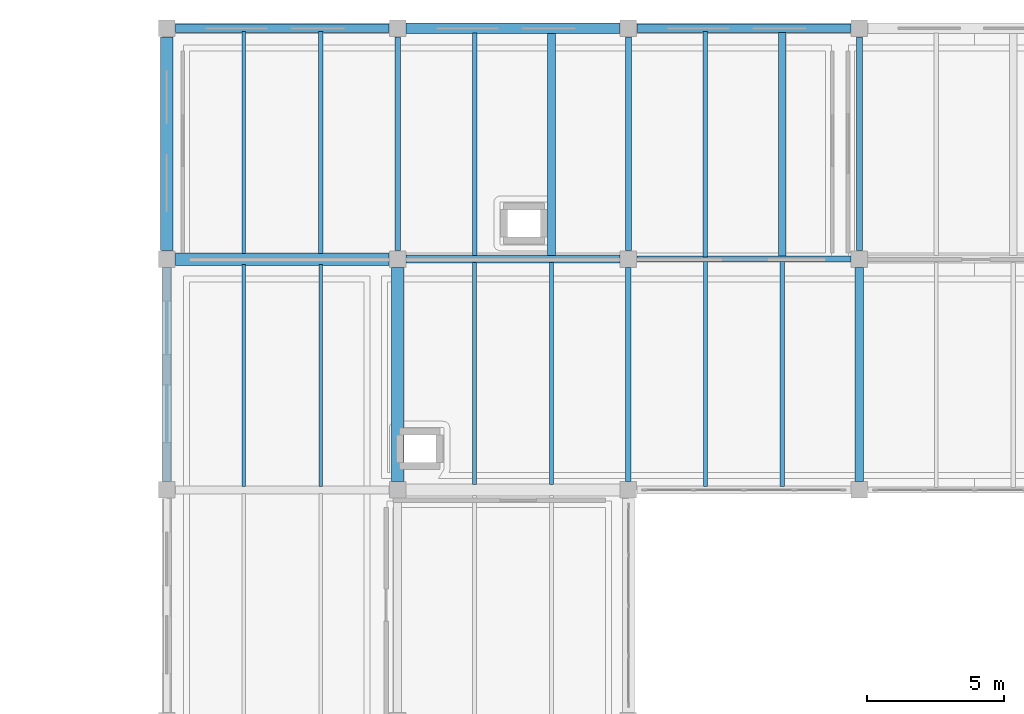
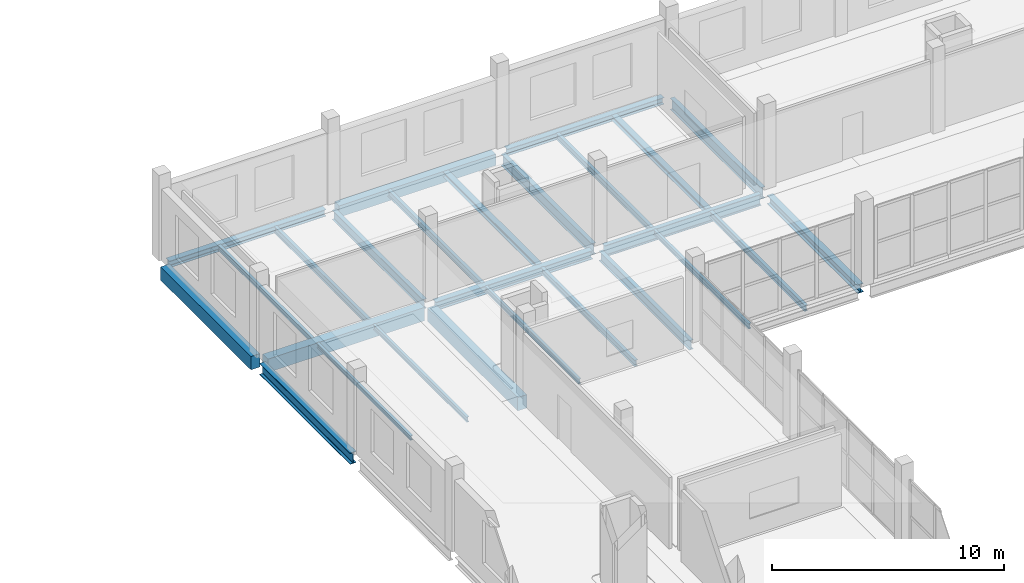
# One storey, part 30 of 54: 26 beams.
"""IFC4 building model written with IfcOpenShell, lengths in metres."""

from ifc_helpers import new_model, si_unit, direction, frame, origin, origin_2d, place, context, subcontext, project, spatial, rectangle, i_section, extrude, material, material_profile, profile_set, type_object, element, save


model = new_model("IFC4")

# Units and contexts
model_context = context("Model", 3, precision=1e-05, world=origin(), true_north=direction((0.0, 1.0)))
body_context = subcontext(model_context, "Body", "Model", "MODEL_VIEW")
ifc_project = project(units=[si_unit("LENGTHUNIT", "METRE"), si_unit("AREAUNIT", "SQUARE_METRE"), si_unit("VOLUMEUNIT", "CUBIC_METRE"), si_unit("PLANEANGLEUNIT", "RADIAN"), si_unit("MASSUNIT", "GRAM", prefix="KILO")], contexts=[model_context])

# Site, building, storey
site_placement = place(None, origin())
site = spatial("IfcSite", under=ifc_project, at=site_placement, CompositionType="ELEMENT")
building_placement = place(site_placement, origin())
building = spatial("IfcBuilding", under=site, at=building_placement, Name="Zulmaris Art Gallery", CompositionType="ELEMENT")
storey_placement = place(building_placement, frame((0.0, 0.0, 26.39990234375)))
storey = spatial("IfcBuildingStorey", under=building, at=storey_placement, Name="L05", CompositionType="ELEMENT", Elevation=26.39990234375)

# Beams
ifc_material_1 = material(Name="Steel S355J2", Category="steel")
ifc_material_profile_1 = material_profile(ifc_material_1, i_section(OverallWidth=0.199951171875, OverallDepth=0.5, WebThickness=0.01025390625, FlangeThickness=0.01611328125, FilletRadius=0.02099609375, at=origin_2d()), Name="IPE 500")
ifc_profile_set_1 = profile_set([ifc_material_profile_1], Name="Steel S355J2")
beam_type_1 = type_object("IfcBeamType", Name="BEAM-BM05", PredefinedType="BEAM", material=ifc_profile_set_1)
beam_1_placement = place(storey_placement, frame((150.0, 67.510009765625, -0.559814453125), z_axis=(0.0, 1.0, 0.0), x_axis=(-1.0, 0.0, 0.0)))
element("IfcBeam", 1, at=beam_1_placement, inside=storey, type_object=beam_type_1, Name="L05 Y-girder (x=150.0, 67.2..75.6)", PredefinedType="BEAM", context=body_context, shape_type="SweptSolid", body=[
    extrude(i_section(OverallWidth=0.199951171875, OverallDepth=0.5, WebThickness=0.01025390625, FlangeThickness=0.01611328125, FilletRadius=0.02099609375, at=origin_2d()), origin(), (0.0, 0.0, 1.0), 7.780029296875),
])
beam_2_placement = place(storey_placement, frame((158.39990234375, 59.110107421875, -0.559814453125), z_axis=(0.0, 1.0, 0.0), x_axis=(-1.0, 0.0, 0.0)))
element("IfcBeam", 2, at=beam_2_placement, inside=storey, type_object=beam_type_1, Name="L05 Y-girder (x=158.4, 58.8..67.2)", PredefinedType="BEAM", context=body_context, shape_type="SweptSolid", body=[
    extrude(i_section(OverallWidth=0.199951171875, OverallDepth=0.5, WebThickness=0.01025390625, FlangeThickness=0.01611328125, FilletRadius=0.02099609375, at=origin_2d()), origin(), (0.0, 0.0, 1.0), 7.77978515625),
])
ifc_material_profile_2 = material_profile(ifc_material_1, i_section(OverallWidth=0.219970703125, OverallDepth=0.60009765625, WebThickness=0.011962890625, FlangeThickness=0.01904296875, FilletRadius=0.02392578125, at=origin_2d()), Name="IPE 600")
ifc_profile_set_2 = profile_set([ifc_material_profile_2], Name="Steel S355J2")
beam_type_2 = type_object("IfcBeamType", Name="BEAM-BM07", PredefinedType="BEAM", material=ifc_profile_set_2)
for number, where, z_axis, x_axis, name in (
    (3, (158.7099609375, 67.199951171875, -0.60986328125), (1.0, 0.0, 0.0), (0.0, 1.0, 0.0), "L05 X-girder (158.4..166.8, y=67.2)"),
    (4, (158.39990234375, 67.510009765625, -0.60986328125), (0.0, 1.0, 0.0), (-1.0, 0.0, 0.0), "L05 Y-girder (x=158.4, 67.2..75.6)"),
    (5, (166.800048828125, 67.510009765625, -0.60986328125), (0.0, 1.0, 0.0), (-1.0, 0.0, 0.0), "L05 Y-girder (x=166.8, 67.2..75.6)"),
):
    element("IfcBeam", number, at=place(storey_placement, frame(where, z_axis=z_axis, x_axis=x_axis)), inside=storey, type_object=beam_type_2, Name=name, PredefinedType="BEAM", context=body_context, shape_type="SweptSolid", body=[
        extrude(i_section(OverallWidth=0.219970703125, OverallDepth=0.60009765625, WebThickness=0.011962890625, FlangeThickness=0.01904296875, FilletRadius=0.02392578125, at=origin_2d()), origin(), (0.0, 0.0, 1.0), 7.780029296875),
    ])
ifc_material_profile_3 = material_profile(ifc_material_1, i_section(OverallWidth=0.300048828125, OverallDepth=0.449951171875, WebThickness=0.013916015625, FlangeThickness=0.02587890625, FilletRadius=0.027099609375, at=origin_2d()), Name="HEB 450")
ifc_profile_set_3 = profile_set([ifc_material_profile_3], Name="Steel S355J2")
beam_type_3 = type_object("IfcBeamType", Name="BEAM-BM13", PredefinedType="BEAM", material=ifc_profile_set_3)
beam_3_placement = place(storey_placement, frame((150.31005859375, 67.199951171875, -0.534912109375), z_axis=(1.0, 0.0, 0.0), x_axis=(0.0, 1.0, 0.0)))
element("IfcBeam", 6, at=beam_3_placement, inside=storey, type_object=beam_type_3, Name="L05 X-girder (150.0..158.4, y=67.2)", PredefinedType="BEAM", context=body_context, shape_type="SweptSolid", body=[
    extrude(i_section(OverallWidth=0.300048828125, OverallDepth=0.449951171875, WebThickness=0.013916015625, FlangeThickness=0.02587890625, FilletRadius=0.027099609375, at=origin_2d()), origin(), (0.0, 0.0, 1.0), 7.780029296875),
])
beam_4_placement = place(storey_placement, frame((166.800048828125, 59.110107421875, -0.534912109375), z_axis=(0.0, 1.0, 0.0), x_axis=(-1.0, 0.0, 0.0)))
element("IfcBeam", 7, at=beam_4_placement, inside=storey, type_object=beam_type_3, Name="L05 Y-girder (x=166.8, 58.8..67.2)", PredefinedType="BEAM", context=body_context, shape_type="SweptSolid", body=[
    extrude(i_section(OverallWidth=0.300048828125, OverallDepth=0.449951171875, WebThickness=0.013916015625, FlangeThickness=0.02587890625, FilletRadius=0.027099609375, at=origin_2d()), origin(), (0.0, 0.0, 1.0), 7.77978515625),
])
ifc_material_profile_4 = material_profile(ifc_material_1, i_section(OverallWidth=0.300048828125, OverallDepth=0.60009765625, WebThickness=0.015380859375, FlangeThickness=0.030029296875, FilletRadius=0.027099609375, at=origin_2d()), Name="HEB 600")
ifc_profile_set_4 = profile_set([ifc_material_profile_4], Name="Steel S355J2")
beam_type_4 = type_object("IfcBeamType", Name="BEAM-BM15", PredefinedType="BEAM", material=ifc_profile_set_4)
beam_5_placement = place(storey_placement, frame((141.60009765625, 59.110107421875, -0.60986328125), z_axis=(0.0, 1.0, 0.0), x_axis=(-1.0, 0.0, 0.0)))
element("IfcBeam", 8, at=beam_5_placement, inside=storey, type_object=beam_type_4, Name="L05 Y-girder (x=141.6, 58.8..67.2)", PredefinedType="BEAM", context=body_context, shape_type="SweptSolid", body=[
    extrude(i_section(OverallWidth=0.300048828125, OverallDepth=0.60009765625, WebThickness=0.015380859375, FlangeThickness=0.030029296875, FilletRadius=0.027099609375, at=origin_2d()), origin(), (0.0, 0.0, 1.0), 7.77978515625),
])
ifc_material_2 = material(Name="Concrete C40/50", Category="concrete")
ifc_material_profile_5 = material_profile(ifc_material_2, rectangle(XDim=0.449951171875, YDim=0.699951171875, at=origin_2d()), Name="RC 450x700")
ifc_profile_set_5 = profile_set([ifc_material_profile_5], Name="Concrete C40/50")
beam_type_5 = type_object("IfcBeamType", Name="BEAM-BM19", PredefinedType="BEAM", material=ifc_profile_set_5)
for number, where, z_axis, x_axis, name in (
    (9, (141.909912109375, 67.199951171875, -0.659912109375), (1.0, 0.0, 0.0), (0.0, 1.0, 0.0), "L05 X-girder (141.6..150.0, y=67.2)"),
    (10, (141.60009765625, 67.510009765625, -0.659912109375), (0.0, 1.0, 0.0), (-1.0, 0.0, 0.0), "L05 Y-girder (x=141.6, 67.2..75.6)"),
):
    element("IfcBeam", number, at=place(storey_placement, frame(where, z_axis=z_axis, x_axis=x_axis)), inside=storey, type_object=beam_type_5, Name=name, PredefinedType="BEAM", context=body_context, shape_type="SweptSolid", body=[
        extrude(rectangle(XDim=0.449951171875, YDim=0.699951171875, at=origin_2d()), origin(), (0.0, 0.0, 1.0), 7.780029296875),
    ])
beam_6_placement = place(storey_placement, frame((150.0, 59.110107421875, -0.659912109375), z_axis=(0.0, 1.0, 0.0), x_axis=(-1.0, 0.0, 0.0)))
element("IfcBeam", 11, at=beam_6_placement, inside=storey, type_object=beam_type_5, Name="L05 Y-girder (x=150.0, 58.8..67.2)", PredefinedType="BEAM", context=body_context, shape_type="SweptSolid", body=[
    extrude(rectangle(XDim=0.449951171875, YDim=0.699951171875, at=origin_2d()), origin(), (0.0, 0.0, 1.0), 7.77978515625),
])
ifc_material_profile_6 = material_profile(ifc_material_1, i_section(OverallWidth=0.1201171875, OverallDepth=0.239990234375, WebThickness=0.006103515625, FlangeThickness=0.009765625, FilletRadius=0.014892578125, at=origin_2d()), Name="IPE 240")
ifc_profile_set_6 = profile_set([ifc_material_profile_6], Name="Steel S355J2")
beam_type_6 = type_object("IfcBeamType", Name="BEAM-JS01", PredefinedType="JOIST", material=ifc_profile_set_6)
beam_7_placement = place(storey_placement, frame((144.39990234375, 58.925048828125, -0.429931640625), z_axis=(0.0, 1.0, 0.0), x_axis=(-1.0, 0.0, 0.0)))
element("IfcBeam", 12, at=beam_7_placement, inside=storey, type_object=beam_type_6, Name="L05 secondary joist at x=144.4", PredefinedType="JOIST", context=body_context, shape_type="SweptSolid", body=[
    extrude(i_section(OverallWidth=0.1201171875, OverallDepth=0.239990234375, WebThickness=0.006103515625, FlangeThickness=0.009765625, FilletRadius=0.014892578125, at=origin_2d()), origin(), (0.0, 0.0, 1.0), 8.074951171875),
])
ifc_material_profile_7 = material_profile(ifc_material_1, i_section(OverallWidth=0.135009765625, OverallDepth=0.27001953125, WebThickness=0.006591796875, FlangeThickness=0.01025390625, FilletRadius=0.014892578125, at=origin_2d()), Name="IPE 270")
ifc_profile_set_7 = profile_set([ifc_material_profile_7], Name="Steel S355J2")
beam_type_7 = type_object("IfcBeamType", Name="BEAM-JS02", PredefinedType="JOIST", material=ifc_profile_set_7)
beam_8_placement = place(storey_placement, frame((147.199951171875, 58.925048828125, -0.44482421875), z_axis=(0.0, 1.0, 0.0), x_axis=(-1.0, 0.0, 0.0)))
element("IfcBeam", 13, at=beam_8_placement, inside=storey, type_object=beam_type_7, Name="L05 secondary joist at x=147.2", PredefinedType="JOIST", context=body_context, shape_type="SweptSolid", body=[
    extrude(i_section(OverallWidth=0.135009765625, OverallDepth=0.27001953125, WebThickness=0.006591796875, FlangeThickness=0.01025390625, FilletRadius=0.014892578125, at=origin_2d()), origin(), (0.0, 0.0, 1.0), 8.074951171875),
])
beam_9_placement = place(storey_placement, frame((144.39990234375, 67.39990234375, -0.44482421875), z_axis=(0.0, 1.0, 0.0), x_axis=(-1.0, 0.0, 0.0)))
element("IfcBeam", 14, at=beam_9_placement, inside=storey, type_object=beam_type_7, Name="L05 secondary joist at x=144.4", PredefinedType="JOIST", context=body_context, shape_type="SweptSolid", body=[
    extrude(i_section(OverallWidth=0.135009765625, OverallDepth=0.27001953125, WebThickness=0.006591796875, FlangeThickness=0.01025390625, FilletRadius=0.014892578125, at=origin_2d()), origin(), (0.0, 0.0, 1.0), 8.0751953125),
])
beam_10_placement = place(storey_placement, frame((152.800048828125, 59.0, -0.44482421875), z_axis=(0.0, 1.0, 0.0), x_axis=(-1.0, 0.0, 0.0)))
element("IfcBeam", 15, at=beam_10_placement, inside=storey, type_object=beam_type_7, Name="L05 secondary joist at x=152.8", PredefinedType="JOIST", context=body_context, shape_type="SweptSolid", body=[
    extrude(i_section(OverallWidth=0.135009765625, OverallDepth=0.27001953125, WebThickness=0.006591796875, FlangeThickness=0.01025390625, FilletRadius=0.014892578125, at=origin_2d()), origin(), (0.0, 0.0, 1.0), 8.074951171875),
])
beam_11_placement = place(storey_placement, frame((161.199951171875, 58.925048828125, -0.44482421875), z_axis=(0.0, 1.0, 0.0), x_axis=(-1.0, 0.0, 0.0)))
element("IfcBeam", 16, at=beam_11_placement, inside=storey, type_object=beam_type_7, Name="L05 secondary joist at x=161.2", PredefinedType="JOIST", context=body_context, shape_type="SweptSolid", body=[
    extrude(i_section(OverallWidth=0.135009765625, OverallDepth=0.27001953125, WebThickness=0.006591796875, FlangeThickness=0.01025390625, FilletRadius=0.014892578125, at=origin_2d()), origin(), (0.0, 0.0, 1.0), 8.18994140625),
])
ifc_material_profile_8 = material_profile(ifc_material_1, i_section(OverallWidth=0.159912109375, OverallDepth=0.330078125, WebThickness=0.007568359375, FlangeThickness=0.011474609375, FilletRadius=0.01806640625, at=origin_2d()), Name="IPE 330")
ifc_profile_set_8 = profile_set([ifc_material_profile_8], Name="Steel S355J2")
beam_type_8 = type_object("IfcBeamType", Name="BEAM-JS03", PredefinedType="JOIST", material=ifc_profile_set_8)
beam_12_placement = place(storey_placement, frame((147.199951171875, 67.39990234375, -0.474853515625), z_axis=(0.0, 1.0, 0.0), x_axis=(-1.0, 0.0, 0.0)))
element("IfcBeam", 17, at=beam_12_placement, inside=storey, type_object=beam_type_8, Name="L05 secondary joist at x=147.2", PredefinedType="JOIST", context=body_context, shape_type="SweptSolid", body=[
    extrude(i_section(OverallWidth=0.159912109375, OverallDepth=0.330078125, WebThickness=0.007568359375, FlangeThickness=0.011474609375, FilletRadius=0.01806640625, at=origin_2d()), origin(), (0.0, 0.0, 1.0), 8.0751953125),
])
beam_13_placement = place(storey_placement, frame((155.60009765625, 59.0, -0.474853515625), z_axis=(0.0, 1.0, 0.0), x_axis=(-1.0, 0.0, 0.0)))
element("IfcBeam", 18, at=beam_13_placement, inside=storey, type_object=beam_type_8, Name="L05 secondary joist at x=155.6", PredefinedType="JOIST", context=body_context, shape_type="SweptSolid", body=[
    extrude(i_section(OverallWidth=0.159912109375, OverallDepth=0.330078125, WebThickness=0.007568359375, FlangeThickness=0.011474609375, FilletRadius=0.01806640625, at=origin_2d()), origin(), (0.0, 0.0, 1.0), 8.074951171875),
])
beam_14_placement = place(storey_placement, frame((152.800048828125, 67.324951171875, -0.474853515625), z_axis=(0.0, 1.0, 0.0), x_axis=(-1.0, 0.0, 0.0)))
element("IfcBeam", 19, at=beam_14_placement, inside=storey, type_object=beam_type_8, Name="L05 secondary joist at x=152.8", PredefinedType="JOIST", context=body_context, shape_type="SweptSolid", body=[
    extrude(i_section(OverallWidth=0.159912109375, OverallDepth=0.330078125, WebThickness=0.007568359375, FlangeThickness=0.011474609375, FilletRadius=0.01806640625, at=origin_2d()), origin(), (0.0, 0.0, 1.0), 8.10009765625),
])
beam_15_placement = place(storey_placement, frame((164.0, 58.925048828125, -0.474853515625), z_axis=(0.0, 1.0, 0.0), x_axis=(-1.0, 0.0, 0.0)))
element("IfcBeam", 20, at=beam_15_placement, inside=storey, type_object=beam_type_8, Name="L05 secondary joist at x=164.0", PredefinedType="JOIST", context=body_context, shape_type="SweptSolid", body=[
    extrude(i_section(OverallWidth=0.159912109375, OverallDepth=0.330078125, WebThickness=0.007568359375, FlangeThickness=0.011474609375, FilletRadius=0.01806640625, at=origin_2d()), origin(), (0.0, 0.0, 1.0), 8.18994140625),
])
beam_16_placement = place(storey_placement, frame((161.199951171875, 67.284912109375, -0.474853515625), z_axis=(0.0, 1.0, 0.0), x_axis=(-1.0, 0.0, 0.0)))
element("IfcBeam", 21, at=beam_16_placement, inside=storey, type_object=beam_type_8, Name="L05 secondary joist at x=161.2", PredefinedType="JOIST", context=body_context, shape_type="SweptSolid", body=[
    extrude(i_section(OverallWidth=0.159912109375, OverallDepth=0.330078125, WebThickness=0.007568359375, FlangeThickness=0.011474609375, FilletRadius=0.01806640625, at=origin_2d()), origin(), (0.0, 0.0, 1.0), 8.190185546875),
])
ifc_material_profile_9 = material_profile(ifc_material_1, i_section(OverallWidth=0.280029296875, OverallDepth=0.27001953125, WebThickness=0.008056640625, FlangeThickness=0.012939453125, FilletRadius=0.02392578125, at=origin_2d()), Name="HEA 280")
ifc_profile_set_9 = profile_set([ifc_material_profile_9], Name="Steel S355J2")
beam_type_9 = type_object("IfcBeamType", Name="BEAM-JS04", PredefinedType="JOIST", material=ifc_profile_set_9)
beam_17_placement = place(storey_placement, frame((155.60009765625, 67.324951171875, -0.44482421875), z_axis=(0.0, 1.0, 0.0), x_axis=(-1.0, 0.0, 0.0)))
element("IfcBeam", 22, at=beam_17_placement, inside=storey, type_object=beam_type_9, Name="L05 secondary joist at x=155.6", PredefinedType="JOIST", context=body_context, shape_type="SweptSolid", body=[
    extrude(i_section(OverallWidth=0.280029296875, OverallDepth=0.27001953125, WebThickness=0.008056640625, FlangeThickness=0.012939453125, FilletRadius=0.02392578125, at=origin_2d()), origin(), (0.0, 0.0, 1.0), 8.10009765625),
])
beam_18_placement = place(storey_placement, frame((164.0, 67.284912109375, -0.44482421875), z_axis=(0.0, 1.0, 0.0), x_axis=(-1.0, 0.0, 0.0)))
element("IfcBeam", 23, at=beam_18_placement, inside=storey, type_object=beam_type_9, Name="L05 secondary joist at x=164.0", PredefinedType="JOIST", context=body_context, shape_type="SweptSolid", body=[
    extrude(i_section(OverallWidth=0.280029296875, OverallDepth=0.27001953125, WebThickness=0.008056640625, FlangeThickness=0.012939453125, FilletRadius=0.02392578125, at=origin_2d()), origin(), (0.0, 0.0, 1.0), 8.190185546875),
])
ifc_material_profile_10 = material_profile(ifc_material_1, i_section(OverallWidth=0.300048828125, OverallDepth=0.35009765625, WebThickness=0.010009765625, FlangeThickness=0.017578125, FilletRadius=0.027099609375, at=origin_2d()), Name="HEA 360")
ifc_profile_set_10 = profile_set([ifc_material_profile_10], Name="Steel S355J2")
beam_type_10 = type_object("IfcBeamType", Name="BEAM-SP01", PredefinedType="SPANDREL", material=ifc_profile_set_10)
for number, where, z_axis, x_axis, name in (
    (24, (141.909912109375, 75.60009765625, -0.48486328125), (1.0, 0.0, 0.0), (0.0, 1.0, 0.0), "L05 X-girder (141.6..150.0, y=75.6)"),
    (25, (158.7099609375, 75.60009765625, -0.48486328125), (1.0, 0.0, 0.0), (0.0, 1.0, 0.0), "L05 X-girder (158.4..166.8, y=75.6)"),
):
    element("IfcBeam", number, at=place(storey_placement, frame(where, z_axis=z_axis, x_axis=x_axis)), inside=storey, type_object=beam_type_10, Name=name, PredefinedType="SPANDREL", context=body_context, shape_type="SweptSolid", body=[
        extrude(i_section(OverallWidth=0.300048828125, OverallDepth=0.35009765625, WebThickness=0.010009765625, FlangeThickness=0.017578125, FilletRadius=0.027099609375, at=origin_2d()), origin(), (0.0, 0.0, 1.0), 7.780029296875),
    ])
ifc_material_profile_11 = material_profile(ifc_material_2, rectangle(XDim=0.39990234375, YDim=0.60009765625, at=origin_2d()), Name="RC 400x600")
ifc_profile_set_11 = profile_set([ifc_material_profile_11], Name="Concrete C40/50")
beam_type_11 = type_object("IfcBeamType", Name="BEAM-SP03", PredefinedType="SPANDREL", material=ifc_profile_set_11)
beam_19_placement = place(storey_placement, frame((150.31005859375, 75.60009765625, -0.60986328125), z_axis=(1.0, 0.0, 0.0), x_axis=(0.0, 1.0, 0.0)))
element("IfcBeam", 26, at=beam_19_placement, inside=storey, type_object=beam_type_11, Name="L05 X-girder (150.0..158.4, y=75.6)", PredefinedType="SPANDREL", context=body_context, shape_type="SweptSolid", body=[
    extrude(rectangle(XDim=0.39990234375, YDim=0.60009765625, at=origin_2d()), origin(), (0.0, 0.0, 1.0), 7.780029296875),
])

save(model, "model.ifc")
